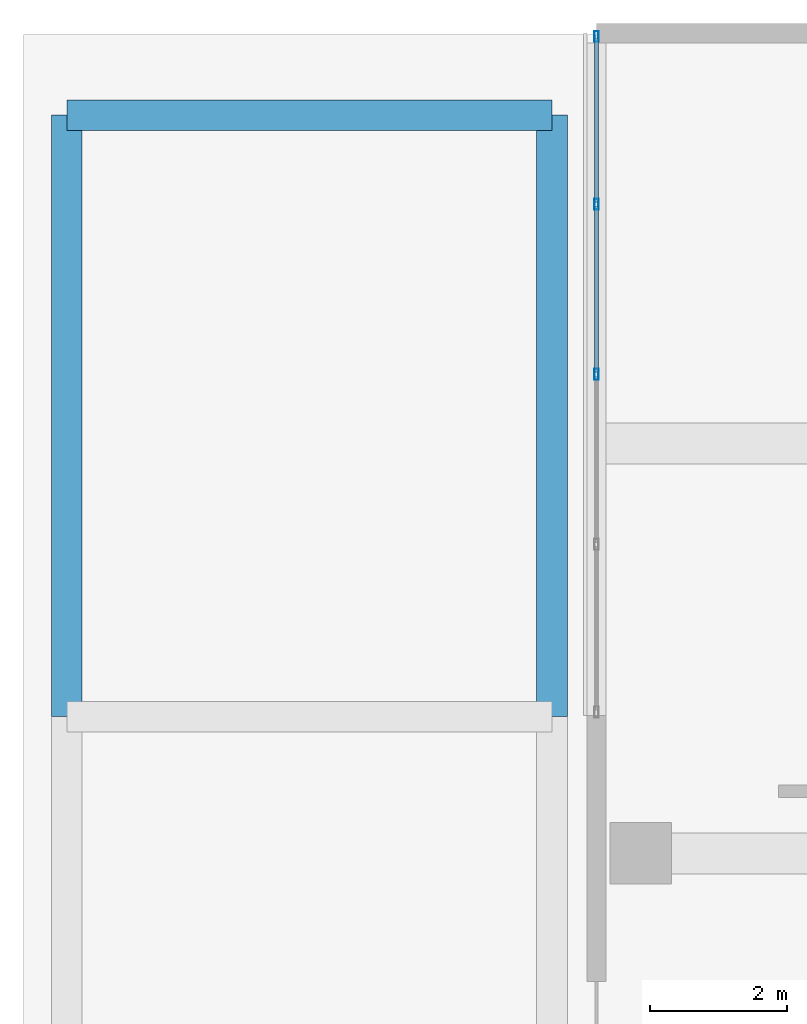
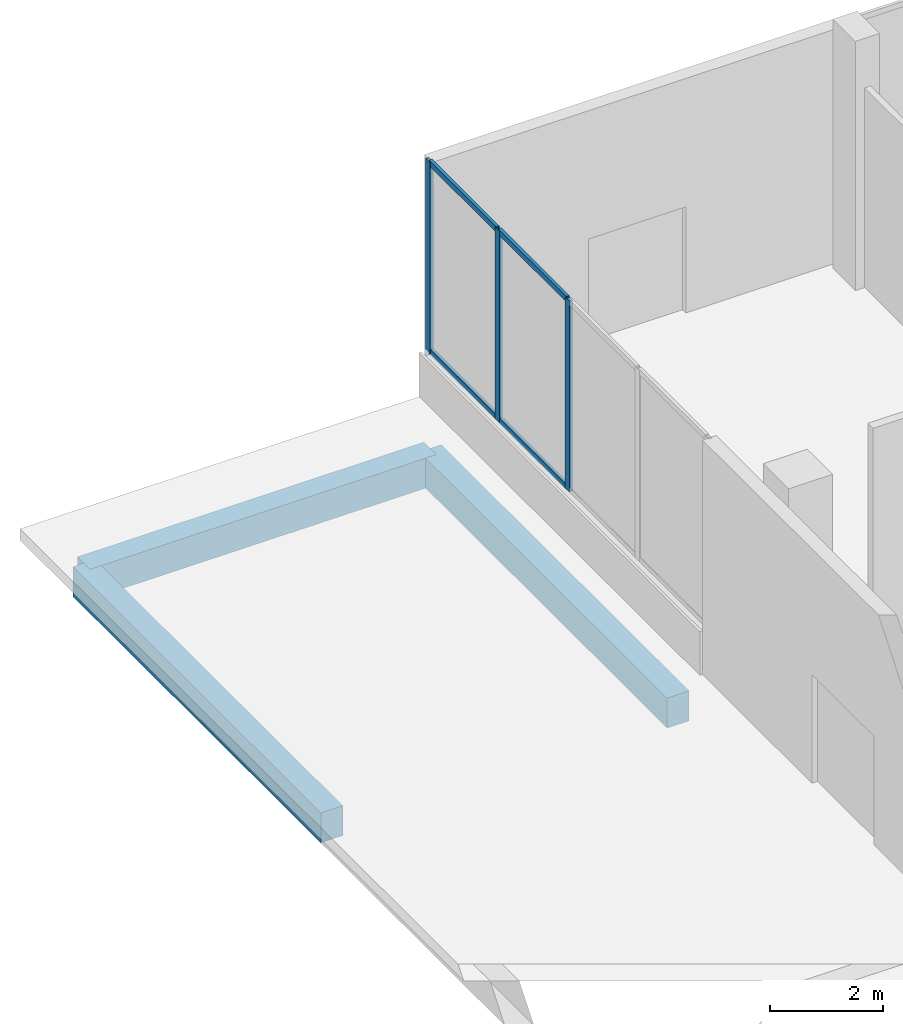
# One storey, part 72 of 158: 7 members, 3 beams, 1 element without a shape of its own.
"""IFC4 building model written with IfcOpenShell, lengths in metres."""

import ifcopenshell
import ifcopenshell.guid

model = None  # the IFC model being written
_history = None  # IfcOwnerHistory: only IFC2X3 demands one
_inside = {}  # id of a spatial element -> (the spatial element, [elements in it])
_under = {}  # id of a project, library or spatial element -> (it, [spatial elements below it])
_declared = {}  # id of a project -> (the project, [libraries it declares])
_typed = {}  # id of a type object -> (the type object, [elements of that type])
_made_of = {}  # id of a material, layer set ... -> (it, [elements and type objects made of it])


def new_model(schema):
    """Start an empty IFC model of exactly this schema.

    Asked for "IFC4X3", IfcOpenShell would pick the latest addendum, in which some entities
    have other attributes; the version numbers below select the first issue.
    IFC2X3 requires an IfcOwnerHistory on every rooted entity: one is made here for all.
    """
    global model, _history
    if schema == "IFC4X3":
        model = ifcopenshell.file(schema_version=(4, 3, 0, 0))
    else:
        model = ifcopenshell.file(schema=schema)
    _inside.clear()
    _under.clear()
    _declared.clear()
    _typed.clear()
    _made_of.clear()
    _history = None
    if model.schema == "IFC2X3":
        org = make("IfcOrganization", Name="unknown")
        user = make(
            "IfcPersonAndOrganization",
            ThePerson=make("IfcPerson", FamilyName="unknown"),
            TheOrganization=org,
        )
        app = make(
            "IfcApplication",
            ApplicationDeveloper=org,
            Version="unknown",
            ApplicationFullName="unknown",
            ApplicationIdentifier="unknown",
        )
        _history = make(
            "IfcOwnerHistory",
            OwningUser=user,
            OwningApplication=app,
            ChangeAction="ADDED",
            CreationDate=0,
        )
    return model


def make(cls, **values):
    """One entity of the class cls with the attributes given. An attribute that is None is left unset."""
    return model.create_entity(
        cls, **{name: value for name, value in values.items() if value is not None}
    )


def rooted(cls, **values):
    """An entity with a GlobalId (a new one), such as an element, a storey or a relation."""
    return make(cls, GlobalId=ifcopenshell.guid.new(), OwnerHistory=_history, **values)


def si_unit(unit_type, name, prefix=None):
    """IfcSIUnit, for example si_unit("LENGTHUNIT", "METRE", prefix="MILLI")."""
    return make("IfcSIUnit", UnitType=unit_type, Prefix=prefix, Name=name)


def assignment(units):
    """IfcUnitAssignment: the units of a project."""
    return None if units is None else make("IfcUnitAssignment", Units=units)


def point(xyz):
    """IfcCartesianPoint."""
    return None if xyz is None else make("IfcCartesianPoint", Coordinates=xyz)


def direction(xyz):
    """IfcDirection."""
    return None if xyz is None else make("IfcDirection", DirectionRatios=xyz)


def frame(location, z_axis=None, x_axis=None):
    """IfcAxis2Placement3D, a coordinate frame: its origin and axes. An axis left out is left unset."""
    return make(
        "IfcAxis2Placement3D",
        Location=point(location),
        Axis=direction(z_axis),
        RefDirection=direction(x_axis),
    )


def frame_2d(location, x_axis=None):
    """IfcAxis2Placement2D, a coordinate frame in the plane: its origin and x axis."""
    return make(
        "IfcAxis2Placement2D", Location=point(location), RefDirection=direction(x_axis)
    )


def origin():
    """The frame at (0, 0, 0) with its axes left unset."""
    return frame((0.0, 0.0, 0.0))


def origin_2d():
    """The frame at (0, 0) in the plane with its x axis left unset."""
    return frame_2d((0.0, 0.0))


def place(relative_to, where):
    """IfcLocalPlacement: puts the frame where relative to a parent placement (None: the world)."""
    return make(
        "IfcLocalPlacement", PlacementRelTo=relative_to, RelativePlacement=where
    )


def context(
    kind, dimensions, precision=None, world=None, true_north=None, identifier=None
):
    """IfcGeometricRepresentationContext, for example the 3D "Model" context."""
    return make(
        "IfcGeometricRepresentationContext",
        ContextIdentifier=identifier,
        ContextType=kind,
        CoordinateSpaceDimension=dimensions,
        Precision=precision,
        WorldCoordinateSystem=world,
        TrueNorth=true_north,
    )


def subcontext(parent, identifier, kind, view, scale=None):
    """IfcGeometricRepresentationSubContext, for example "Body" below "Model"."""
    return make(
        "IfcGeometricRepresentationSubContext",
        ContextIdentifier=identifier,
        ContextType=kind,
        ParentContext=parent,
        TargetScale=scale,
        TargetView=view,
    )


def project(units=None, contexts=None):
    """IfcProject with its units and contexts."""
    return rooted(
        "IfcProject",
        Name="project",
        RepresentationContexts=contexts,
        UnitsInContext=assignment(units),
    )


def spatial(cls, under=None, at=None, **own):
    """A site, building, storey or space (cls), placed at a placement, below another one or the project."""
    s = rooted(cls, ObjectPlacement=at, **own)
    if under is not None:
        _under.setdefault(under.id(), (under, []))[1].append(s)
    return s


def profile(cls, at=None, kind="AREA", **sizes):
    """A parametric profile (cls). Its sizes go by their IFC names, for example OverallWidth=200.0."""
    return make(cls, ProfileType=kind, Position=at, **sizes)


def rectangle(**sizes):
    """IfcRectangleProfileDef."""
    return profile("IfcRectangleProfileDef", **sizes)


def hollow_rectangle(**sizes):
    """IfcRectangleHollowProfileDef."""
    return profile("IfcRectangleHollowProfileDef", **sizes)


def extrude(swept, where, along, depth):
    """IfcExtrudedAreaSolid: the profile swept, set in the frame where, extruded along a direction by depth."""
    return make(
        "IfcExtrudedAreaSolid",
        SweptArea=swept,
        Position=where,
        ExtrudedDirection=direction(along),
        Depth=depth,
    )


def shape(context_of_items, identifier, shape_type, items):
    """IfcShapeRepresentation: the items that make up one representation, for example the "Body"."""
    return make(
        "IfcShapeRepresentation",
        ContextOfItems=context_of_items,
        RepresentationIdentifier=identifier,
        RepresentationType=shape_type,
        Items=items,
    )


def material(Name=None, Category=None):
    """IfcMaterial."""
    return make("IfcMaterial", Name=Name, Category=Category)


def material_profile(
    of_material, cross_section, Name=None, Category=None, Priority=None
):
    """IfcMaterialProfile: a cross section and its material."""
    return make(
        "IfcMaterialProfile",
        Name=Name,
        Material=of_material,
        Profile=cross_section,
        Priority=Priority,
        Category=Category,
    )


def profile_set(profiles, Name=None, composite=None):
    """IfcMaterialProfileSet."""
    return make(
        "IfcMaterialProfileSet",
        Name=Name,
        MaterialProfiles=profiles,
        CompositeProfile=composite,
    )


def made_of(thing, what):
    """Note that an element or type object is made of a material, layer set ...; save() writes the relation."""
    if what is not None:
        _made_of.setdefault(what.id(), (what, []))[1].append(thing)
    return thing


def type_object(cls, material=None, **own):
    """A type object (cls), such as IfcWallType, which elements share."""
    return made_of(rooted(cls, **own), material)


def element(
    cls,
    number,
    at=None,
    inside=None,
    cuts=None,
    type_object=None,
    material=None,
    context=None,
    identifier="Body",
    shape_type=None,
    held_by="IfcProductDefinitionShape",
    body=None,
    shapes=None,
    **own,
):
    """One element of the class cls, such as IfcWall. Its Tag is "e" and its number.

    at: its placement. inside: the storey or other place that contains it. cuts: it is an
    opening in that element (IfcRelVoidsElement). A single representation is given by context,
    identifier, shape_type and body (its items); several are given by shapes. held_by: the class
    of the entity that holds the representations. save() writes the other relations.
    """
    e = rooted(cls, Tag="e%d" % number, ObjectPlacement=at, **own)
    if body is not None:
        shapes = [shape(context, identifier, shape_type, body)]
    if shapes is not None:
        e.Representation = make(held_by, Representations=shapes)
    if inside is not None:
        _inside.setdefault(inside.id(), (inside, []))[1].append(e)
    if cuts is not None:
        rooted(
            "IfcRelVoidsElement", RelatingBuildingElement=cuts, RelatedOpeningElement=e
        )
    if type_object is not None:
        _typed.setdefault(type_object.id(), (type_object, []))[1].append(e)
    return made_of(e, material)


def aggregate(whole, parts):
    """IfcRelAggregates: a whole, such as a stair, and the parts it consists of."""
    return rooted("IfcRelAggregates", RelatingObject=whole, RelatedObjects=parts)


def save(model, path):
    """Write the relations noted so far, then the file.

    IfcRelAggregates (storeys below a building ...), IfcRelContainedInSpatialStructure (elements
    in a storey), IfcRelDefinesByType, IfcRelAssociatesMaterial and IfcRelDeclares: one each for
    every whole, place, type object, material and project.
    """
    for whole, parts in _under.values():
        aggregate(whole, parts)
    for where, things in _inside.values():
        rooted(
            "IfcRelContainedInSpatialStructure",
            RelatedElements=things,
            RelatingStructure=where,
        )
    for kind, things in _typed.values():
        rooted("IfcRelDefinesByType", RelatedObjects=things, RelatingType=kind)
    for what, things in _made_of.values():
        rooted("IfcRelAssociatesMaterial", RelatedObjects=things, RelatingMaterial=what)
    for by, libraries in _declared.values():
        rooted("IfcRelDeclares", RelatingContext=by, RelatedDefinitions=libraries)
    model.write(path)


model = new_model("IFC4")

# Units and contexts
model_context = context("Model", 3, precision=1e-05, world=origin(), true_north=direction((0.0, 1.0)))
body_context = subcontext(model_context, "Body", "Model", "MODEL_VIEW")
ifc_project = project(units=[si_unit("LENGTHUNIT", "METRE"), si_unit("AREAUNIT", "SQUARE_METRE"), si_unit("VOLUMEUNIT", "CUBIC_METRE"), si_unit("PLANEANGLEUNIT", "RADIAN"), si_unit("MASSUNIT", "GRAM", prefix="KILO")], contexts=[model_context])

# Site, building, storey
site_placement = place(None, origin())
site = spatial("IfcSite", under=ifc_project, at=site_placement, CompositionType="ELEMENT")
building_placement = place(site_placement, origin())
building = spatial("IfcBuilding", under=site, at=building_placement, Name="Selatvlak General Hospital", CompositionType="ELEMENT")
storey_placement = place(building_placement, origin())
storey = spatial("IfcBuildingStorey", under=building, at=storey_placement, Name="L00", CompositionType="ELEMENT", Elevation=0.0)

# Beams
ifc_material_1 = material(Name="Concrete C40/50", Category="concrete")
ifc_material_profile_1 = material_profile(ifc_material_1, rectangle(XDim=0.449951171875, YDim=0.64990234375, at=origin_2d()), Name="RC-BM 450x650")
ifc_profile_set_1 = profile_set([ifc_material_profile_1], Name="Concrete C40/50")
beam_type = type_object("IfcBeamType", Name="BM-G04", PredefinedType="BEAM", material=ifc_profile_set_1)
beam_placement = place(storey_placement, frame((6.64990234375, 118.800048828125, -0.570068359375), z_axis=(1.0, 0.0, 0.0), x_axis=(0.0, 1.0, 0.0)))
element("IfcBeam", 1, at=beam_placement, inside=storey, type_object=beam_type, Name="Beam BMR-L00-2925", PredefinedType="BEAM", context=body_context, shape_type="SweptSolid", body=[
    extrude(rectangle(XDim=0.449951171875, YDim=0.64990234375, at=origin_2d()), origin(), (0.0, 0.0, 1.0), 7.10009765625),
])
for number, where, z_axis, x_axis, name in (
    (2, (6.64990234375, 110.0, -0.570068359375), (0.0, 1.0, 0.0), (-1.0, 0.0, 0.0), "Beam BMR-L00-2927"),
    (3, (13.75, 110.0, -0.570068359375), (0.0, 1.0, 0.0), (-1.0, 0.0, 0.0), "Beam BMR-L00-2929"),
):
    element("IfcBeam", number, at=place(storey_placement, frame(where, z_axis=z_axis, x_axis=x_axis)), inside=storey, type_object=beam_type, Name=name, PredefinedType="BEAM", context=body_context, shape_type="SweptSolid", body=[
        extrude(rectangle(XDim=0.449951171875, YDim=0.64990234375, at=origin_2d()), origin(), (0.0, 0.0, 1.0), 8.800048828125),
    ])

# Curtain wall, members
ifc_material_2 = material(Name="Solar-control Low-E double glazing", Category="glass")
curtain_wall_type = type_object("IfcCurtainWallType", Name="CW-CW-01", PredefinedType="USERDEFINED", material=ifc_material_2)
curtain_wall_placement = place(storey_placement, origin())
curtain_wall = element("IfcCurtainWall", 4, at=curtain_wall_placement, inside=storey, type_object=curtain_wall_type, Name="Glazed facade curtain wall CW-L00-0002", ObjectType="UNITISED CURTAIN WALL", PredefinedType="USERDEFINED")
ifc_material_3 = material(Name="Dark anodised aluminium mullion", Category="aluminium")
ifc_material_profile_2 = material_profile(ifc_material_3, hollow_rectangle(XDim=0.06494140625, YDim=0.159912109375, WallThickness=0.00390625, at=origin_2d()), Name="AL-MUL 65x160x4")
ifc_profile_set_2 = profile_set([ifc_material_profile_2], Name="Dark anodised aluminium mullion")
member_type_1 = type_object("IfcMemberType", Name="CWM-01", PredefinedType="MULLION", material=ifc_profile_set_2)
member_1_placement = place(storey_placement, frame((14.39990234375, 115.009033203125, 0.93994140625), z_axis=(0.0, 0.0, 1.0), x_axis=(-1.0, 0.0, 0.0)))
member_1 = element("IfcMember", 5, at=member_1_placement, type_object=member_type_1, Name="CW-01 mullion 3", PredefinedType="MULLION", context=body_context, shape_type="SweptSolid", body=[
    extrude(hollow_rectangle(XDim=0.06494140625, YDim=0.159912109375, WallThickness=0.00390625, at=origin_2d()), origin(), (0.0, 0.0, 1.0), 4.14013671875),
])
member_2_placement = place(storey_placement, frame((14.39990234375, 117.49658203125, 0.93994140625), z_axis=(0.0, 0.0, 1.0), x_axis=(-1.0, 0.0, 0.0)))
member_2 = element("IfcMember", 6, at=member_2_placement, type_object=member_type_1, Name="CW-01 mullion 4", PredefinedType="MULLION", context=body_context, shape_type="SweptSolid", body=[
    extrude(hollow_rectangle(XDim=0.06494140625, YDim=0.159912109375, WallThickness=0.00390625, at=origin_2d()), origin(), (0.0, 0.0, 1.0), 4.14013671875),
])
member_3_placement = place(storey_placement, frame((14.39990234375, 119.951416015625, 0.93994140625), z_axis=(0.0, 0.0, 1.0), x_axis=(-1.0, 0.0, 0.0)))
member_3 = element("IfcMember", 7, at=member_3_placement, type_object=member_type_1, Name="CW-01 mullion 5", PredefinedType="MULLION", context=body_context, shape_type="SweptSolid", body=[
    extrude(hollow_rectangle(XDim=0.06494140625, YDim=0.159912109375, WallThickness=0.00390625, at=origin_2d()), origin(), (0.0, 0.0, 1.0), 4.14013671875),
])
ifc_material_profile_3 = material_profile(ifc_material_3, hollow_rectangle(XDim=0.06494140625, YDim=0.1201171875, WallThickness=0.00390625, at=origin_2d()), Name="AL-TRN 65x120x4")
ifc_profile_set_3 = profile_set([ifc_material_profile_3], Name="Dark anodised aluminium mullion")
member_type_2 = type_object("IfcMemberType", Name="CWT-01", PredefinedType="USERDEFINED", material=ifc_profile_set_3)
member_4_placement = place(storey_placement, frame((14.39990234375, 115.04150390625, 0.972412109375), z_axis=(0.0, 1.0, 0.0), x_axis=(-1.0, 0.0, 0.0)))
member_4 = element("IfcMember", 8, at=member_4_placement, type_object=member_type_2, Name="CW-01 transom 3.1", ObjectType="TRANSOM", PredefinedType="USERDEFINED", context=body_context, shape_type="SweptSolid", body=[
    extrude(hollow_rectangle(XDim=0.06494140625, YDim=0.1201171875, WallThickness=0.00390625, at=origin_2d()), origin(), (0.0, 0.0, 1.0), 2.422607421875),
])
member_5_placement = place(storey_placement, frame((14.39990234375, 115.04150390625, 5.047607421875), z_axis=(0.0, 1.0, 0.0), x_axis=(-1.0, 0.0, 0.0)))
member_5 = element("IfcMember", 9, at=member_5_placement, type_object=member_type_2, Name="CW-01 transom 3.2", ObjectType="TRANSOM", PredefinedType="USERDEFINED", context=body_context, shape_type="SweptSolid", body=[
    extrude(hollow_rectangle(XDim=0.06494140625, YDim=0.1201171875, WallThickness=0.00390625, at=origin_2d()), origin(), (0.0, 0.0, 1.0), 2.422607421875),
])
member_6_placement = place(storey_placement, frame((14.39990234375, 117.529052734375, 0.972412109375), z_axis=(0.0, 1.0, 0.0), x_axis=(-1.0, 0.0, 0.0)))
member_6 = element("IfcMember", 10, at=member_6_placement, type_object=member_type_2, Name="CW-01 transom 4.1", ObjectType="TRANSOM", PredefinedType="USERDEFINED", context=body_context, shape_type="SweptSolid", body=[
    extrude(hollow_rectangle(XDim=0.06494140625, YDim=0.1201171875, WallThickness=0.00390625, at=origin_2d()), origin(), (0.0, 0.0, 1.0), 2.389892578125),
])
member_7_placement = place(storey_placement, frame((14.39990234375, 117.529052734375, 5.047607421875), z_axis=(0.0, 1.0, 0.0), x_axis=(-1.0, 0.0, 0.0)))
member_7 = element("IfcMember", 11, at=member_7_placement, type_object=member_type_2, Name="CW-01 transom 4.2", ObjectType="TRANSOM", PredefinedType="USERDEFINED", context=body_context, shape_type="SweptSolid", body=[
    extrude(hollow_rectangle(XDim=0.06494140625, YDim=0.1201171875, WallThickness=0.00390625, at=origin_2d()), origin(), (0.0, 0.0, 1.0), 2.389892578125),
])
aggregate(curtain_wall, [member_1, member_2, member_3, member_4, member_5, member_6, member_7])

save(model, "model.ifc")
